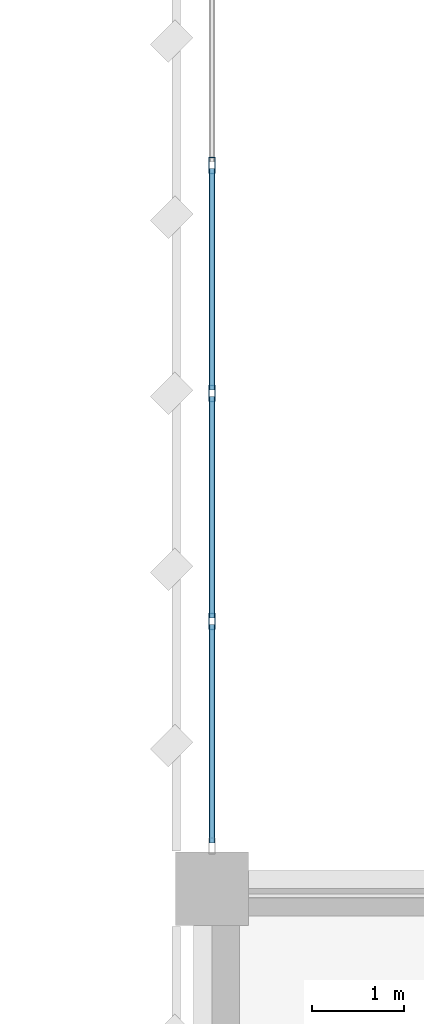
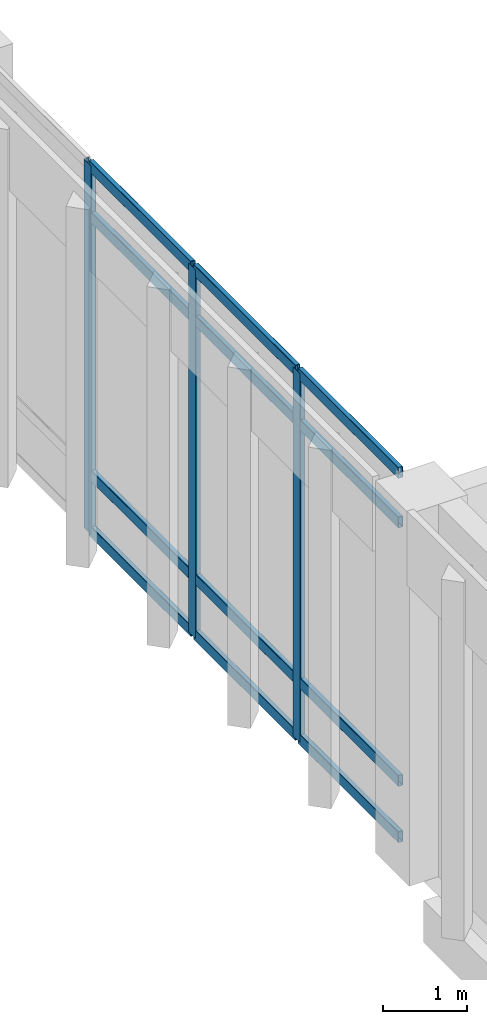
# One storey, part 9 of 180: 15 members, 1 element without a shape of its own.
"""IFC4 building model written with IfcOpenShell, lengths in metres."""

from ifc_helpers import new_model, si_unit, direction, frame, origin, origin_2d, place, context, subcontext, project, spatial, hollow_rectangle, extrude, material, material_profile, profile_set, type_object, element, aggregate, save


model = new_model("IFC4")

# Units and contexts
model_context = context("Model", 3, precision=1e-05, world=origin(), true_north=direction((0.0, 1.0)))
body_context = subcontext(model_context, "Body", "Model", "MODEL_VIEW")
ifc_project = project(units=[si_unit("LENGTHUNIT", "METRE"), si_unit("AREAUNIT", "SQUARE_METRE"), si_unit("VOLUMEUNIT", "CUBIC_METRE"), si_unit("PLANEANGLEUNIT", "RADIAN"), si_unit("MASSUNIT", "GRAM", prefix="KILO")], contexts=[model_context])

# Site, building, storey
site_placement = place(None, origin())
site = spatial("IfcSite", under=ifc_project, at=site_placement, CompositionType="ELEMENT")
building_placement = place(site_placement, origin())
building = spatial("IfcBuilding", under=site, at=building_placement, Name="Lusvemor Sports Hall", CompositionType="ELEMENT")
storey_placement = place(building_placement, frame((0.0, 0.0, 5.39990234375)))
storey = spatial("IfcBuildingStorey", under=building, at=storey_placement, Name="L01", CompositionType="ELEMENT", Elevation=5.39990234375)

# Curtain wall, members
ifc_material_1 = material(Name="Thermally broken bronze-anodized aluminium", Category="aluminium")
curtain_wall_type = type_object("IfcCurtainWallType", Name="CW_COURT_C", PredefinedType="NOTDEFINED", material=ifc_material_1)
curtain_wall_placement = place(storey_placement, origin())
curtain_wall = element("IfcCurtainWall", 1, at=curtain_wall_placement, inside=storey, type_object=curtain_wall_type, Name="Curtain Wall CW-V1W-L01-2", PredefinedType="NOTDEFINED")
ifc_material_2 = material(Name="Thermally broken bronze-anodized aluminium", Category="aluminium")
ifc_material_profile_1 = material_profile(ifc_material_2, hollow_rectangle(XDim=0.070068359375, YDim=0.179931640625, WallThickness=0.0048828125, InnerFilletRadius=0.0048828125, OuterFilletRadius=0.010009765625, at=origin_2d()), Name="CWMUL180x70x5")
ifc_profile_set_1 = profile_set([ifc_material_profile_1], Name="Thermally broken bronze-anodized aluminium")
member_type_1 = type_object("IfcMemberType", Name="CW_MUL_A", PredefinedType="MULLION", material=ifc_profile_set_1)
member_1_placement = place(storey_placement, frame((0.0, 10.114990234375, 0.0), z_axis=(0.0, 0.0, 1.0), x_axis=(-1.0, 0.0, 0.0)))
member_1 = element("IfcMember", 2, at=member_1_placement, type_object=member_type_1, Name="CW03 mullion 2", PredefinedType="MULLION", context=body_context, shape_type="SweptSolid", body=[
    extrude(hollow_rectangle(XDim=0.070068359375, YDim=0.179931640625, WallThickness=0.0048828125, InnerFilletRadius=0.0048828125, OuterFilletRadius=0.010009765625, at=origin_2d()), origin(), (0.0, 0.0, 1.0), 5.35009765625),
])
member_2_placement = place(storey_placement, frame((0.0, 12.60009765625, 0.0), z_axis=(0.0, 0.0, 1.0), x_axis=(-1.0, 0.0, 0.0)))
member_2 = element("IfcMember", 3, at=member_2_placement, type_object=member_type_1, Name="CW03 mullion 3", PredefinedType="MULLION", context=body_context, shape_type="SweptSolid", body=[
    extrude(hollow_rectangle(XDim=0.070068359375, YDim=0.179931640625, WallThickness=0.0048828125, InnerFilletRadius=0.0048828125, OuterFilletRadius=0.010009765625, at=origin_2d()), origin(), (0.0, 0.0, 1.0), 5.35009765625),
])
member_3_placement = place(storey_placement, frame((0.0, 15.0849609375, 0.0), z_axis=(0.0, 0.0, 1.0), x_axis=(-1.0, 0.0, 0.0)))
member_3 = element("IfcMember", 4, at=member_3_placement, type_object=member_type_1, Name="CW03 mullion 4", PredefinedType="MULLION", context=body_context, shape_type="SweptSolid", body=[
    extrude(hollow_rectangle(XDim=0.070068359375, YDim=0.179931640625, WallThickness=0.0048828125, InnerFilletRadius=0.0048828125, OuterFilletRadius=0.010009765625, at=origin_2d()), origin(), (0.0, 0.0, 1.0), 5.35009765625),
])
ifc_material_3 = material(Name="Thermally broken bronze-anodized aluminium", Category="aluminium")
ifc_material_profile_2 = material_profile(ifc_material_3, hollow_rectangle(XDim=0.06494140625, YDim=0.159912109375, WallThickness=0.00390625, InnerFilletRadius=0.00390625, OuterFilletRadius=0.008056640625, at=origin_2d()), Name="CWTRN160x65x4")
ifc_profile_set_2 = profile_set([ifc_material_profile_2], Name="Thermally broken bronze-anodized aluminium")
member_type_2 = type_object("IfcMemberType", Name="CW_TRN_A", PredefinedType="USERDEFINED", material=ifc_profile_set_2)
member_4_placement = place(storey_placement, frame((0.0, 7.699951171875, 0.03271484375), z_axis=(0.0, 1.0, 0.0), x_axis=(-1.0, 0.0, 0.0)))
member_4 = element("IfcMember", 5, at=member_4_placement, type_object=member_type_2, Name="CW03 transom 1.1", ObjectType="TRANSOM", PredefinedType="USERDEFINED", context=body_context, shape_type="SweptSolid", body=[
    extrude(hollow_rectangle(XDim=0.06494140625, YDim=0.159912109375, WallThickness=0.00390625, InnerFilletRadius=0.00390625, OuterFilletRadius=0.008056640625, at=origin_2d()), origin(), (0.0, 0.0, 1.0), 2.380126953125),
])
member_5_placement = place(storey_placement, frame((0.0, 7.699951171875, 0.85009765625), z_axis=(0.0, 1.0, 0.0), x_axis=(-1.0, 0.0, 0.0)))
member_5 = element("IfcMember", 6, at=member_5_placement, type_object=member_type_2, Name="CW03 transom 1.2", ObjectType="TRANSOM", PredefinedType="USERDEFINED", context=body_context, shape_type="SweptSolid", body=[
    extrude(hollow_rectangle(XDim=0.06494140625, YDim=0.159912109375, WallThickness=0.00390625, InnerFilletRadius=0.00390625, OuterFilletRadius=0.008056640625, at=origin_2d()), origin(), (0.0, 0.0, 1.0), 2.380126953125),
])
member_6_placement = place(storey_placement, frame((0.0, 7.699951171875, 4.60009765625), z_axis=(0.0, 1.0, 0.0), x_axis=(-1.0, 0.0, 0.0)))
member_6 = element("IfcMember", 7, at=member_6_placement, type_object=member_type_2, Name="CW03 transom 1.3", ObjectType="TRANSOM", PredefinedType="USERDEFINED", context=body_context, shape_type="SweptSolid", body=[
    extrude(hollow_rectangle(XDim=0.06494140625, YDim=0.159912109375, WallThickness=0.00390625, InnerFilletRadius=0.00390625, OuterFilletRadius=0.008056640625, at=origin_2d()), origin(), (0.0, 0.0, 1.0), 2.380126953125),
])
member_7_placement = place(storey_placement, frame((0.0, 7.699951171875, 5.317626953125), z_axis=(0.0, 1.0, 0.0), x_axis=(-1.0, 0.0, 0.0)))
member_7 = element("IfcMember", 8, at=member_7_placement, type_object=member_type_2, Name="CW03 transom 1.4", ObjectType="TRANSOM", PredefinedType="USERDEFINED", context=body_context, shape_type="SweptSolid", body=[
    extrude(hollow_rectangle(XDim=0.06494140625, YDim=0.159912109375, WallThickness=0.00390625, InnerFilletRadius=0.00390625, OuterFilletRadius=0.008056640625, at=origin_2d()), origin(), (0.0, 0.0, 1.0), 2.380126953125),
])
member_8_placement = place(storey_placement, frame((0.0, 10.14990234375, 0.03271484375), z_axis=(0.0, 1.0, 0.0), x_axis=(-1.0, 0.0, 0.0)))
member_8 = element("IfcMember", 9, at=member_8_placement, type_object=member_type_2, Name="CW03 transom 2.1", ObjectType="TRANSOM", PredefinedType="USERDEFINED", context=body_context, shape_type="SweptSolid", body=[
    extrude(hollow_rectangle(XDim=0.06494140625, YDim=0.159912109375, WallThickness=0.00390625, InnerFilletRadius=0.00390625, OuterFilletRadius=0.008056640625, at=origin_2d()), origin(), (0.0, 0.0, 1.0), 2.4150390625),
])
member_9_placement = place(storey_placement, frame((0.0, 10.14990234375, 0.85009765625), z_axis=(0.0, 1.0, 0.0), x_axis=(-1.0, 0.0, 0.0)))
member_9 = element("IfcMember", 10, at=member_9_placement, type_object=member_type_2, Name="CW03 transom 2.2", ObjectType="TRANSOM", PredefinedType="USERDEFINED", context=body_context, shape_type="SweptSolid", body=[
    extrude(hollow_rectangle(XDim=0.06494140625, YDim=0.159912109375, WallThickness=0.00390625, InnerFilletRadius=0.00390625, OuterFilletRadius=0.008056640625, at=origin_2d()), origin(), (0.0, 0.0, 1.0), 2.4150390625),
])
member_10_placement = place(storey_placement, frame((0.0, 10.14990234375, 4.60009765625), z_axis=(0.0, 1.0, 0.0), x_axis=(-1.0, 0.0, 0.0)))
member_10 = element("IfcMember", 11, at=member_10_placement, type_object=member_type_2, Name="CW03 transom 2.3", ObjectType="TRANSOM", PredefinedType="USERDEFINED", context=body_context, shape_type="SweptSolid", body=[
    extrude(hollow_rectangle(XDim=0.06494140625, YDim=0.159912109375, WallThickness=0.00390625, InnerFilletRadius=0.00390625, OuterFilletRadius=0.008056640625, at=origin_2d()), origin(), (0.0, 0.0, 1.0), 2.4150390625),
])
member_11_placement = place(storey_placement, frame((0.0, 10.14990234375, 5.317626953125), z_axis=(0.0, 1.0, 0.0), x_axis=(-1.0, 0.0, 0.0)))
member_11 = element("IfcMember", 12, at=member_11_placement, type_object=member_type_2, Name="CW03 transom 2.4", ObjectType="TRANSOM", PredefinedType="USERDEFINED", context=body_context, shape_type="SweptSolid", body=[
    extrude(hollow_rectangle(XDim=0.06494140625, YDim=0.159912109375, WallThickness=0.00390625, InnerFilletRadius=0.00390625, OuterFilletRadius=0.008056640625, at=origin_2d()), origin(), (0.0, 0.0, 1.0), 2.4150390625),
])
member_12_placement = place(storey_placement, frame((0.0, 12.635009765625, 0.03271484375), z_axis=(0.0, 1.0, 0.0), x_axis=(-1.0, 0.0, 0.0)))
member_12 = element("IfcMember", 13, at=member_12_placement, type_object=member_type_2, Name="CW03 transom 3.1", ObjectType="TRANSOM", PredefinedType="USERDEFINED", context=body_context, shape_type="SweptSolid", body=[
    extrude(hollow_rectangle(XDim=0.06494140625, YDim=0.159912109375, WallThickness=0.00390625, InnerFilletRadius=0.00390625, OuterFilletRadius=0.008056640625, at=origin_2d()), origin(), (0.0, 0.0, 1.0), 2.4150390625),
])
member_13_placement = place(storey_placement, frame((0.0, 12.635009765625, 0.85009765625), z_axis=(0.0, 1.0, 0.0), x_axis=(-1.0, 0.0, 0.0)))
member_13 = element("IfcMember", 14, at=member_13_placement, type_object=member_type_2, Name="CW03 transom 3.2", ObjectType="TRANSOM", PredefinedType="USERDEFINED", context=body_context, shape_type="SweptSolid", body=[
    extrude(hollow_rectangle(XDim=0.06494140625, YDim=0.159912109375, WallThickness=0.00390625, InnerFilletRadius=0.00390625, OuterFilletRadius=0.008056640625, at=origin_2d()), origin(), (0.0, 0.0, 1.0), 2.4150390625),
])
member_14_placement = place(storey_placement, frame((0.0, 12.635009765625, 4.60009765625), z_axis=(0.0, 1.0, 0.0), x_axis=(-1.0, 0.0, 0.0)))
member_14 = element("IfcMember", 15, at=member_14_placement, type_object=member_type_2, Name="CW03 transom 3.3", ObjectType="TRANSOM", PredefinedType="USERDEFINED", context=body_context, shape_type="SweptSolid", body=[
    extrude(hollow_rectangle(XDim=0.06494140625, YDim=0.159912109375, WallThickness=0.00390625, InnerFilletRadius=0.00390625, OuterFilletRadius=0.008056640625, at=origin_2d()), origin(), (0.0, 0.0, 1.0), 2.4150390625),
])
member_15_placement = place(storey_placement, frame((0.0, 12.635009765625, 5.317626953125), z_axis=(0.0, 1.0, 0.0), x_axis=(-1.0, 0.0, 0.0)))
member_15 = element("IfcMember", 16, at=member_15_placement, type_object=member_type_2, Name="CW03 transom 3.4", ObjectType="TRANSOM", PredefinedType="USERDEFINED", context=body_context, shape_type="SweptSolid", body=[
    extrude(hollow_rectangle(XDim=0.06494140625, YDim=0.159912109375, WallThickness=0.00390625, InnerFilletRadius=0.00390625, OuterFilletRadius=0.008056640625, at=origin_2d()), origin(), (0.0, 0.0, 1.0), 2.4150390625),
])
aggregate(curtain_wall, [member_1, member_2, member_3, member_4, member_5, member_6, member_7, member_8, member_9, member_10, member_11, member_12, member_13, member_14, member_15])

save(model, "model.ifc")
